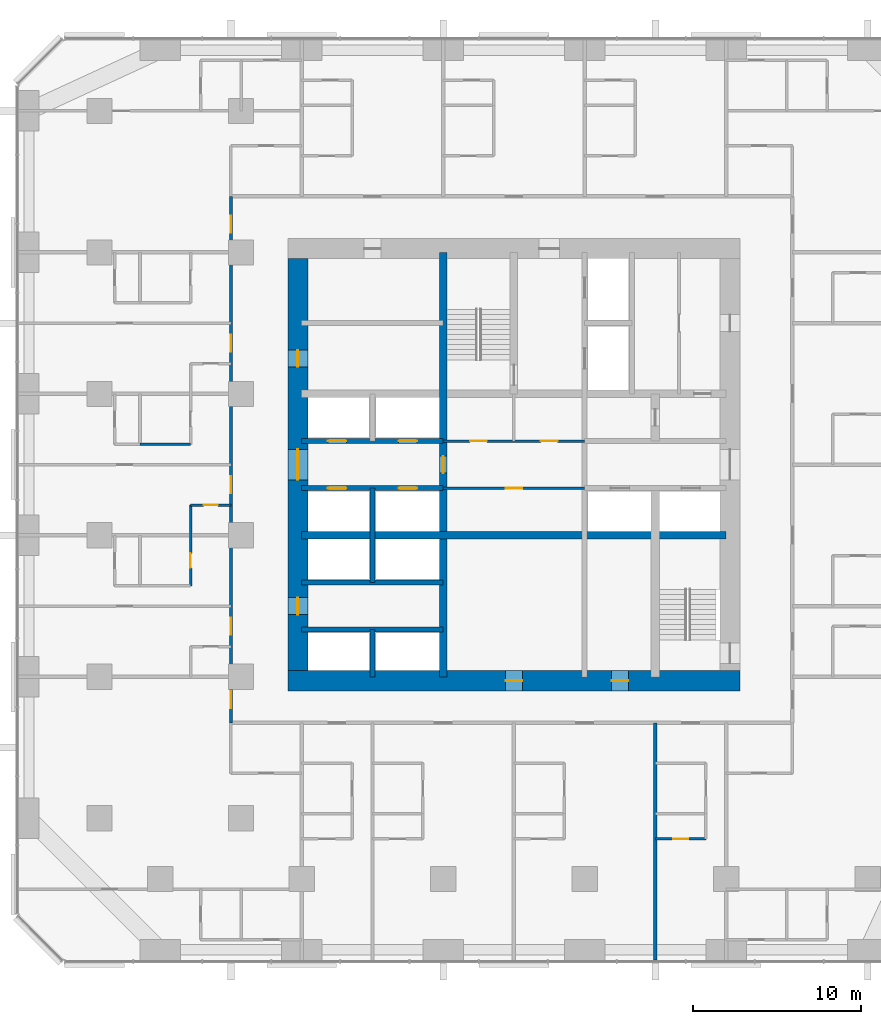
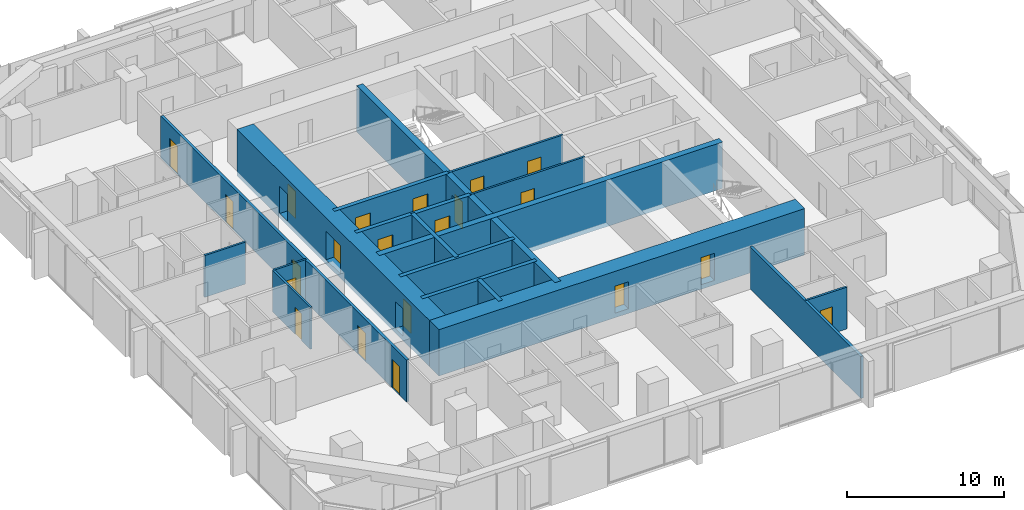
# One storey, part 9 of 14: 21 doors, 18 walls, 21 openings.
"""IFC4 building model written with IfcOpenShell, lengths in metres."""

from ifc_helpers import new_model, si_unit, direction, frame, frame_2d, origin, place, context, subcontext, project, spatial, rectangle, extrude, material, layer, layer_set, type_object, element, fill, save


model = new_model("IFC4")

# Units and contexts
model_context = context("Model", 3, precision=1e-05, world=origin(), true_north=direction((0.0, 1.0)))
body_context = subcontext(model_context, "Body", "Model", "MODEL_VIEW")
ifc_project = project(units=[si_unit("LENGTHUNIT", "METRE"), si_unit("AREAUNIT", "SQUARE_METRE"), si_unit("VOLUMEUNIT", "CUBIC_METRE"), si_unit("PLANEANGLEUNIT", "RADIAN"), si_unit("MASSUNIT", "GRAM", prefix="KILO")], contexts=[model_context])

# Site, building, storey
site_placement = place(None, origin())
site = spatial("IfcSite", under=ifc_project, at=site_placement, CompositionType="ELEMENT")
building_placement = place(site_placement, origin())
building = spatial("IfcBuilding", under=site, at=building_placement, Name="Dunama Terrace Hotel", CompositionType="ELEMENT")
storey_placement = place(building_placement, frame((0.0, 0.0, 108.0)))
storey = spatial("IfcBuildingStorey", under=building, at=storey_placement, Name="L27", CompositionType="ELEMENT", Elevation=108.0)

# Wall, opening, door
ifc_material_1 = material(Name="Gypsum board partition", Category="masonry")
ifc_layer_1 = layer(ifc_material_1, 0.14990234375)
ifc_layer_set_1 = layer_set([ifc_layer_1], Name="Bathroom partition 150")
wall_type_1 = type_object("IfcWallType", Name="Bathroom partition 150", PredefinedType="PARTITIONING", material=ifc_layer_set_1)
wall_1_placement = place(storey_placement, frame((10.199951171875, 22.199951171875, 0.0), z_axis=(0.0, 0.0, 1.0), x_axis=(0.0, 1.0, 0.0)))
wall_1 = element("IfcWall", 1, at=wall_1_placement, inside=storey, type_object=wall_type_1, Name="Bathroom partition 150 L27", PredefinedType="PARTITIONING", context=body_context, shape_type="SweptSolid", body=[
    extrude(rectangle(XDim=4.800048828125, YDim=0.14990234375, at=frame_2d((2.39990234375, 0.0))), origin(), (0.0, 0.0, 1.0), 3.25),
])
opening_1_placement = place(wall_1_placement, frame((1.074951171875, 0.0, 0.0)))
opening_1 = element("IfcOpeningElement", 2, at=opening_1_placement, cuts=wall_1, Name="Opening L25-27-047", PredefinedType="OPENING", context=body_context, shape_type="SweptSolid", body=[
    extrude(rectangle(XDim=0.85009765625, YDim=2.10009765625, at=frame_2d((0.425048828125, 1.050048828125))), frame((0.0, 0.0849609375, 0.0), z_axis=(0.0, -1.0, 0.0), x_axis=(1.0, 0.0, 0.0)), (0.0, 0.0, 1.0), 0.169921875),
])
ifc_material_2 = material(Name="Timber door with steel frame", Category="steel")
door_type_1 = type_object("IfcDoorType", Name="Bathroom door 850", OperationType="SINGLE_SWING_LEFT", PredefinedType="DOOR", material=ifc_material_2)
door_1_placement = place(opening_1_placement, origin())
door_1 = element("IfcDoor", 3, at=door_1_placement, inside=storey, type_object=door_type_1, Name="Door to en-suite bathroom L25-27-047, type D2", OperationType="SINGLE_SWING_RIGHT", OverallHeight=2.10009765625, OverallWidth=0.85009765625, PredefinedType="DOOR", context=body_context, shape_type="SweptSolid", body=[
    extrude(rectangle(XDim=0.85009765625, YDim=2.10009765625, at=frame_2d((0.425048828125, 1.050048828125))), frame((0.0, 0.02490234375, 0.0), z_axis=(0.0, -1.0, 0.0), x_axis=(1.0, 0.0, 0.0)), (0.0, 0.0, 1.0), 0.050048828125),
])
fill(opening_1, door_1)

wall_2_placement = place(storey_placement, frame((10.199951171875, 27.0, 0.0), z_axis=(0.0, 0.0, 1.0), x_axis=(1.0, 0.0, 0.0)))
wall_2 = element("IfcWall", 4, at=wall_2_placement, inside=storey, type_object=wall_type_1, Name="Bathroom partition 150 L27", PredefinedType="PARTITIONING", context=body_context, shape_type="SweptSolid", body=[
    extrude(rectangle(XDim=2.400146484375, YDim=0.14990234375, at=frame_2d((1.2001953125, 0.0))), origin(), (0.0, 0.0, 1.0), 3.25),
])
opening_2_placement = place(wall_2_placement, frame((0.77490234375, 0.0, 0.0)))
opening_2 = element("IfcOpeningElement", 5, at=opening_2_placement, cuts=wall_2, Name="Opening L25-27-050", PredefinedType="OPENING", context=body_context, shape_type="SweptSolid", body=[
    extrude(rectangle(XDim=0.85009765625, YDim=2.10009765625, at=frame_2d((0.425048828125, 1.050048828125))), frame((0.0, 0.0849609375, 0.0), z_axis=(0.0, -1.0, 0.0), x_axis=(1.0, 0.0, 0.0)), (0.0, 0.0, 1.0), 0.169921875),
])
door_2_placement = place(opening_2_placement, frame((0.85009765625, 0.0, 0.0), z_axis=(0.0, 0.0, 1.0), x_axis=(-1.0, 0.0, 0.0)))
door_2 = element("IfcDoor", 6, at=door_2_placement, inside=storey, type_object=door_type_1, Name="Door to powder room L25-27-050, type D2", OperationType="SINGLE_SWING_LEFT", OverallHeight=2.10009765625, OverallWidth=0.85009765625, PredefinedType="DOOR", context=body_context, shape_type="SweptSolid", body=[
    extrude(rectangle(XDim=0.85009765625, YDim=2.10009765625, at=frame_2d((0.425048828125, 1.050048828125))), frame((0.0, 0.025146484375, 0.0), z_axis=(0.0, -1.0, 0.0), x_axis=(1.0, 0.0, 0.0)), (0.0, 0.0, 1.0), 0.050048828125),
])
fill(opening_2, door_2)

# Walls
wall_3_placement = place(storey_placement, frame((7.199951171875, 30.60009765625, 0.0), z_axis=(0.0, 0.0, 1.0), x_axis=(1.0, 0.0, 0.0)))
element("IfcWall", 7, at=wall_3_placement, inside=storey, type_object=wall_type_1, Name="Bathroom partition 150 L27", PredefinedType="PARTITIONING", context=body_context, shape_type="SweptSolid", body=[
    extrude(rectangle(XDim=3.0, YDim=0.14990234375, at=frame_2d((1.5, 0.0))), origin(), (0.0, 0.0, 1.0), 3.25),
])
ifc_material_3 = material(Name="Concrete C50/60", Category="concrete")
ifc_layer_2 = layer(ifc_material_3, 0.300048828125)
ifc_layer_set_2 = layer_set([ifc_layer_2], Name="Core inner wall 300")
wall_type_2 = type_object("IfcWallType", Name="Core inner wall 300", PredefinedType="SHEAR", material=ifc_layer_set_2)
wall_4_placement = place(storey_placement, frame((21.0, 16.800048828125, -0.35009765625), z_axis=(0.0, 0.0, 1.0), x_axis=(0.0, 1.0, 0.0)))
element("IfcWall", 8, at=wall_4_placement, inside=storey, type_object=wall_type_2, Name="Core inner wall 300 L27", PredefinedType="SHEAR", context=body_context, shape_type="SweptSolid", body=[
    extrude(rectangle(XDim=2.800048828125, YDim=0.300048828125, at=frame_2d((1.39990234375, 0.0))), origin(), (0.0, 0.0, 1.0), 3.60009765625),
])
wall_5_placement = place(storey_placement, frame((21.0, 22.39990234375, -0.35009765625), z_axis=(0.0, 0.0, 1.0), x_axis=(0.0, 1.0, 0.0)))
element("IfcWall", 9, at=wall_5_placement, inside=storey, type_object=wall_type_2, Name="Core inner wall 300 L27", PredefinedType="SHEAR", context=body_context, shape_type="SweptSolid", body=[
    extrude(rectangle(XDim=5.60009765625, YDim=0.300048828125, at=frame_2d((2.800048828125, 0.0))), origin(), (0.0, 0.0, 1.0), 3.60009765625),
])
for number, where, z_axis, x_axis, name in (
    (10, (16.800048828125, 19.60009765625, -0.35009765625), (0.0, 0.0, 1.0), (1.0, 0.0, 0.0), "Core inner wall 300 L27"),
    (11, (16.800048828125, 22.39990234375, -0.35009765625), (0.0, 0.0, 1.0), (1.0, 0.0, 0.0), "Core inner wall 300 L27"),
):
    element("IfcWall", number, at=place(storey_placement, frame(where, z_axis=z_axis, x_axis=x_axis)), inside=storey, type_object=wall_type_2, Name=name, PredefinedType="SHEAR", context=body_context, shape_type="SweptSolid", body=[
        extrude(rectangle(XDim=8.39990234375, YDim=0.300048828125, at=frame_2d((4.199951171875, 0.0))), origin(), (0.0, 0.0, 1.0), 3.60009765625),
    ])

# Wall, openings, doors
wall_6_placement = place(storey_placement, frame((16.800048828125, 28.0, -0.35009765625), z_axis=(0.0, 0.0, 1.0), x_axis=(1.0, 0.0, 0.0)))
wall_6 = element("IfcWall", 12, at=wall_6_placement, inside=storey, type_object=wall_type_2, Name="Core inner wall 300 L27", PredefinedType="SHEAR", context=body_context, shape_type="SweptSolid", body=[
    extrude(rectangle(XDim=8.39990234375, YDim=0.300048828125, at=frame_2d((4.199951171875, 0.0))), origin(), (0.0, 0.0, 1.0), 3.60009765625),
])
opening_3_placement = place(wall_6_placement, frame((1.550048828125, 0.0, 0.35009765625)))
opening_3 = element("IfcOpeningElement", 13, at=opening_3_placement, cuts=wall_6, Name="Opening L25-27-005", PredefinedType="OPENING", context=body_context, shape_type="SweptSolid", body=[
    extrude(rectangle(XDim=1.10009765625, YDim=2.199951171875, at=frame_2d((0.550048828125, 1.10009765625))), frame((0.0, 0.159912109375, 0.0), z_axis=(0.0, -1.0, 0.0), x_axis=(1.0, 0.0, 0.0)), (0.0, 0.0, 1.0), 0.320068359375),
])
opening_4_placement = place(wall_6_placement, frame((5.75, 0.0, 0.35009765625)))
opening_4 = element("IfcOpeningElement", 14, at=opening_4_placement, cuts=wall_6, Name="Opening L25-27-006", PredefinedType="OPENING", context=body_context, shape_type="SweptSolid", body=[
    extrude(rectangle(XDim=1.10009765625, YDim=2.199951171875, at=frame_2d((0.550048828125, 1.10009765625))), frame((0.0, 0.159912109375, 0.0), z_axis=(0.0, -1.0, 0.0), x_axis=(1.0, 0.0, 0.0)), (0.0, 0.0, 1.0), 0.320068359375),
])
ifc_material_4 = material(Name="Stainless steel lift door", Category="steel")
door_type_2 = type_object("IfcDoorType", Name="Lift landing door 1100", OperationType="DOUBLE_DOOR_SLIDING", PredefinedType="DOOR", material=ifc_material_4)
door_3_placement = place(opening_3_placement, origin())
door_3 = element("IfcDoor", 15, at=door_3_placement, inside=storey, type_object=door_type_2, Name="Landing door PC1 L25-27-005, type LD1", OperationType="DOUBLE_DOOR_SLIDING", OverallHeight=2.199951171875, OverallWidth=1.10009765625, PredefinedType="DOOR", context=body_context, shape_type="SweptSolid", body=[
    extrude(rectangle(XDim=1.10009765625, YDim=2.199951171875, at=frame_2d((0.550048828125, 1.10009765625))), frame((0.0, 0.02490234375, 0.0), z_axis=(0.0, -1.0, 0.0), x_axis=(1.0, 0.0, 0.0)), (0.0, 0.0, 1.0), 0.050048828125),
])
fill(opening_3, door_3)
door_4_placement = place(opening_4_placement, origin())
door_4 = element("IfcDoor", 16, at=door_4_placement, inside=storey, type_object=door_type_2, Name="Landing door PC2 L25-27-006, type LD1", OperationType="DOUBLE_DOOR_SLIDING", OverallHeight=2.199951171875, OverallWidth=1.10009765625, PredefinedType="DOOR", context=body_context, shape_type="SweptSolid", body=[
    extrude(rectangle(XDim=1.10009765625, YDim=2.199951171875, at=frame_2d((0.550048828125, 1.10009765625))), frame((0.0, 0.02490234375, 0.0), z_axis=(0.0, -1.0, 0.0), x_axis=(1.0, 0.0, 0.0)), (0.0, 0.0, 1.0), 0.050048828125),
])
fill(opening_4, door_4)

wall_7_placement = place(storey_placement, frame((16.800048828125, 30.800048828125, -0.35009765625), z_axis=(0.0, 0.0, 1.0), x_axis=(1.0, 0.0, 0.0)))
wall_7 = element("IfcWall", 17, at=wall_7_placement, inside=storey, type_object=wall_type_2, Name="Core inner wall 300 L27", PredefinedType="SHEAR", context=body_context, shape_type="SweptSolid", body=[
    extrude(rectangle(XDim=8.39990234375, YDim=0.300048828125, at=frame_2d((4.199951171875, 0.0))), origin(), (0.0, 0.0, 1.0), 3.60009765625),
])
opening_5_placement = place(wall_7_placement, frame((1.550048828125, 0.0, 0.35009765625)))
opening_5 = element("IfcOpeningElement", 18, at=opening_5_placement, cuts=wall_7, Name="Opening L25-27-007", PredefinedType="OPENING", context=body_context, shape_type="SweptSolid", body=[
    extrude(rectangle(XDim=1.10009765625, YDim=2.199951171875, at=frame_2d((0.550048828125, 1.10009765625))), frame((0.0, 0.159912109375, 0.0), z_axis=(0.0, -1.0, 0.0), x_axis=(1.0, 0.0, 0.0)), (0.0, 0.0, 1.0), 0.320068359375),
])
opening_6_placement = place(wall_7_placement, frame((5.75, 0.0, 0.35009765625)))
opening_6 = element("IfcOpeningElement", 19, at=opening_6_placement, cuts=wall_7, Name="Opening L25-27-008", PredefinedType="OPENING", context=body_context, shape_type="SweptSolid", body=[
    extrude(rectangle(XDim=1.10009765625, YDim=2.199951171875, at=frame_2d((0.550048828125, 1.10009765625))), frame((0.0, 0.159912109375, 0.0), z_axis=(0.0, -1.0, 0.0), x_axis=(1.0, 0.0, 0.0)), (0.0, 0.0, 1.0), 0.320068359375),
])
door_5_placement = place(opening_5_placement, origin())
door_5 = element("IfcDoor", 20, at=door_5_placement, inside=storey, type_object=door_type_2, Name="Landing door PC3 L25-27-007, type LD1", OperationType="DOUBLE_DOOR_SLIDING", OverallHeight=2.199951171875, OverallWidth=1.10009765625, PredefinedType="DOOR", context=body_context, shape_type="SweptSolid", body=[
    extrude(rectangle(XDim=1.10009765625, YDim=2.199951171875, at=frame_2d((0.550048828125, 1.10009765625))), frame((0.0, 0.02490234375, 0.0), z_axis=(0.0, -1.0, 0.0), x_axis=(1.0, 0.0, 0.0)), (0.0, 0.0, 1.0), 0.050048828125),
])
fill(opening_5, door_5)
door_6_placement = place(opening_6_placement, origin())
door_6 = element("IfcDoor", 21, at=door_6_placement, inside=storey, type_object=door_type_2, Name="Landing door PC4 L25-27-008, type LD1", OperationType="DOUBLE_DOOR_SLIDING", OverallHeight=2.199951171875, OverallWidth=1.10009765625, PredefinedType="DOOR", context=body_context, shape_type="SweptSolid", body=[
    extrude(rectangle(XDim=1.10009765625, YDim=2.199951171875, at=frame_2d((0.550048828125, 1.10009765625))), frame((0.0, 0.02490234375, 0.0), z_axis=(0.0, -1.0, 0.0), x_axis=(1.0, 0.0, 0.0)), (0.0, 0.0, 1.0), 0.050048828125),
])
fill(opening_6, door_6)

# Wall, opening, door
ifc_material_5 = material(Name="Concrete C50/60", Category="concrete")
ifc_layer_3 = layer(ifc_material_5, 0.449951171875)
ifc_layer_set_3 = layer_set([ifc_layer_3], Name="Core inner wall 450")
wall_type_3 = type_object("IfcWallType", Name="Core inner wall 450", PredefinedType="SHEAR", material=ifc_layer_set_3)
wall_8_placement = place(storey_placement, frame((25.199951171875, 16.800048828125, -0.35009765625), z_axis=(0.0, 0.0, 1.0), x_axis=(0.0, 1.0, 0.0)))
wall_8 = element("IfcWall", 22, at=wall_8_placement, inside=storey, type_object=wall_type_3, Name="Core inner wall 450 L27", PredefinedType="SHEAR", context=body_context, shape_type="SweptSolid", body=[
    extrude(rectangle(XDim=25.199951171875, YDim=0.449951171875, at=frame_2d((12.60009765625, 0.0))), origin(), (0.0, 0.0, 1.0), 3.60009765625),
])
opening_7_placement = place(wall_8_placement, frame((12.10009765625, 0.0, 0.35009765625)))
opening_7 = element("IfcOpeningElement", 23, at=opening_7_placement, cuts=wall_8, Name="Opening L25-27-083", PredefinedType="OPENING", context=body_context, shape_type="SweptSolid", body=[
    extrude(rectangle(XDim=1.0, YDim=2.10009765625, at=frame_2d((0.5, 1.050048828125))), frame((0.0, 0.23486328125, 0.0), z_axis=(0.0, -1.0, 0.0), x_axis=(1.0, 0.0, 0.0)), (0.0, 0.0, 1.0), 0.469970703125),
])
ifc_material_6 = material(Name="Timber door with steel frame", Category="steel")
door_type_3 = type_object("IfcDoorType", Name="Service door 1000", OperationType="SINGLE_SWING_LEFT", PredefinedType="DOOR", material=ifc_material_6)
door_7_placement = place(opening_7_placement, origin())
door_7 = element("IfcDoor", 24, at=door_7_placement, inside=storey, type_object=door_type_3, Name="Door to guest services passage L25-27-083, type D7", OperationType="SINGLE_SWING_LEFT", OverallHeight=2.10009765625, OverallWidth=1.0, PredefinedType="DOOR", context=body_context, shape_type="SweptSolid", body=[
    extrude(rectangle(XDim=1.0, YDim=2.10009765625, at=frame_2d((0.5, 1.050048828125))), frame((0.0, 0.02490234375, 0.0), z_axis=(0.0, -1.0, 0.0), x_axis=(1.0, 0.0, 0.0)), (0.0, 0.0, 1.0), 0.050048828125),
])
fill(opening_7, door_7)

# Wall
wall_9_placement = place(storey_placement, frame((16.800048828125, 25.199951171875, -0.35009765625), z_axis=(0.0, 0.0, 1.0), x_axis=(1.0, 0.0, 0.0)))
element("IfcWall", 25, at=wall_9_placement, inside=storey, type_object=wall_type_3, Name="Core inner wall 450 L27", PredefinedType="SHEAR", context=body_context, shape_type="SweptSolid", body=[
    extrude(rectangle(XDim=25.199951171875, YDim=0.449951171875, at=frame_2d((12.60009765625, 0.0))), origin(), (0.0, 0.0, 1.0), 3.60009765625),
])

# Wall, openings, doors
ifc_material_7 = material(Name="Concrete C60/75", Category="concrete")
ifc_layer_4 = layer(ifc_material_7, 1.199951171875)
ifc_layer_set_4 = layer_set([ifc_layer_4], Name="Core wall 1200")
wall_type_4 = type_object("IfcWallType", Name="Core wall 1200", PredefinedType="SHEAR", material=ifc_layer_set_4)
wall_10_placement = place(storey_placement, frame((15.97509765625, 16.574951171875, -0.35009765625), z_axis=(0.0, 0.0, 1.0), x_axis=(1.0, 0.0, 0.0)))
wall_10 = element("IfcWall", 26, at=wall_10_placement, inside=storey, type_object=wall_type_4, Name="Core wall south L27", PredefinedType="SHEAR", context=body_context, shape_type="SweptSolid", body=[
    extrude(rectangle(XDim=26.849853515625, YDim=1.199951171875, at=frame_2d((13.4248046875, 0.0))), origin(), (0.0, 0.0, 1.0), 3.60009765625),
])
opening_8_placement = place(wall_10_placement, frame((12.925048828125, 0.0, 0.35009765625)))
opening_8 = element("IfcOpeningElement", 27, at=opening_8_placement, cuts=wall_10, Name="Opening L25-27-093", PredefinedType="OPENING", context=body_context, shape_type="SweptSolid", body=[
    extrude(rectangle(XDim=1.0, YDim=2.10009765625, at=frame_2d((0.5, 1.050048828125))), frame((0.0, 0.60986328125, 0.0), z_axis=(0.0, -1.0, 0.0), x_axis=(1.0, 0.0, 0.0)), (0.0, 0.0, 1.0), 1.219970703125),
])
opening_9_placement = place(wall_10_placement, frame((19.22509765625, 0.0, 0.35009765625)))
opening_9 = element("IfcOpeningElement", 28, at=opening_9_placement, cuts=wall_10, Name="Opening L25-27-094", PredefinedType="OPENING", context=body_context, shape_type="SweptSolid", body=[
    extrude(rectangle(XDim=1.0, YDim=2.10009765625, at=frame_2d((0.5, 1.050048828125))), frame((0.0, 0.60986328125, 0.0), z_axis=(0.0, -1.0, 0.0), x_axis=(1.0, 0.0, 0.0)), (0.0, 0.0, 1.0), 1.219970703125),
])
door_8_placement = place(opening_8_placement, origin())
door_8 = element("IfcDoor", 29, at=door_8_placement, inside=storey, type_object=door_type_3, Name="Door to corridor air handling room L25-27-093, type D7", OperationType="SINGLE_SWING_LEFT", OverallHeight=2.10009765625, OverallWidth=1.0, PredefinedType="DOOR", context=body_context, shape_type="SweptSolid", body=[
    extrude(rectangle(XDim=1.0, YDim=2.10009765625, at=frame_2d((0.5, 1.050048828125))), frame((0.0, 0.02490234375, 0.0), z_axis=(0.0, -1.0, 0.0), x_axis=(1.0, 0.0, 0.0)), (0.0, 0.0, 1.0), 0.050048828125),
])
fill(opening_8, door_8)
door_9_placement = place(opening_9_placement, origin())
door_9 = element("IfcDoor", 30, at=door_9_placement, inside=storey, type_object=door_type_3, Name="Door to water riser room L25-27-094, type D7", OperationType="SINGLE_SWING_RIGHT", OverallHeight=2.10009765625, OverallWidth=1.0, PredefinedType="DOOR", context=body_context, shape_type="SweptSolid", body=[
    extrude(rectangle(XDim=1.0, YDim=2.10009765625, at=frame_2d((0.5, 1.050048828125))), frame((0.0, 0.02490234375, 0.0), z_axis=(0.0, -1.0, 0.0), x_axis=(1.0, 0.0, 0.0)), (0.0, 0.0, 1.0), 0.050048828125),
])
fill(opening_9, door_9)

wall_11_placement = place(storey_placement, frame((16.574951171875, 41.625, -0.35009765625), z_axis=(0.0, 0.0, 1.0), x_axis=(0.0, -1.0, 0.0)))
wall_11 = element("IfcWall", 31, at=wall_11_placement, inside=storey, type_object=wall_type_4, Name="Core wall west L27", PredefinedType="SHEAR", context=body_context, shape_type="SweptSolid", body=[
    extrude(rectangle(XDim=24.449951171875, YDim=1.199951171875, at=frame_2d((12.22509765625, 0.0))), origin(), (0.0, 0.0, 1.0), 3.60009765625),
])
opening_10_placement = place(wall_11_placement, frame((11.324951171875, 0.0, 0.35009765625)))
opening_10 = element("IfcOpeningElement", 32, at=opening_10_placement, cuts=wall_11, Name="Opening L25-27-079", PredefinedType="OPENING", context=body_context, shape_type="SweptSolid", body=[
    extrude(rectangle(XDim=1.800048828125, YDim=2.199951171875, at=frame_2d((0.89990234375, 1.10009765625))), frame((0.0, 0.60986328125, 0.0), z_axis=(0.0, -1.0, 0.0), x_axis=(1.0, 0.0, 0.0)), (0.0, 0.0, 1.0), 1.219970703125),
])
opening_11_placement = place(wall_11_placement, frame((20.125, 0.0, 0.35009765625)))
opening_11 = element("IfcOpeningElement", 33, at=opening_11_placement, cuts=wall_11, Name="Opening L25-27-080", PredefinedType="OPENING", context=body_context, shape_type="SweptSolid", body=[
    extrude(rectangle(XDim=1.0, YDim=2.10009765625, at=frame_2d((0.5, 1.050048828125))), frame((0.0, 0.60986328125, 0.0), z_axis=(0.0, -1.0, 0.0), x_axis=(1.0, 0.0, 0.0)), (0.0, 0.0, 1.0), 1.219970703125),
])
opening_12_placement = place(wall_11_placement, frame((5.425048828125, 0.0, 0.35009765625)))
opening_12 = element("IfcOpeningElement", 34, at=opening_12_placement, cuts=wall_11, Name="Opening L25-27-081", PredefinedType="OPENING", context=body_context, shape_type="SweptSolid", body=[
    extrude(rectangle(XDim=1.0, YDim=2.10009765625, at=frame_2d((0.5, 1.050048828125))), frame((0.0, 0.60986328125, 0.0), z_axis=(0.0, -1.0, 0.0), x_axis=(1.0, 0.0, 0.0)), (0.0, 0.0, 1.0), 1.219970703125),
])
ifc_material_8 = material(Name="Timber door with steel frame", Category="steel")
door_type_4 = type_object("IfcDoorType", Name="Lift lobby double door 1800", OperationType="DOUBLE_DOOR_DOUBLE_SWING", PredefinedType="DOOR", material=ifc_material_8)
door_10_placement = place(opening_10_placement, origin())
door_10 = element("IfcDoor", 35, at=door_10_placement, inside=storey, type_object=door_type_4, Name="Door to lift lobby L25-27-079, type D3", OperationType="DOUBLE_DOOR_DOUBLE_SWING", OverallHeight=2.199951171875, OverallWidth=1.800048828125, PredefinedType="DOOR", context=body_context, shape_type="SweptSolid", body=[
    extrude(rectangle(XDim=1.800048828125, YDim=2.199951171875, at=frame_2d((0.89990234375, 1.10009765625))), frame((0.0, 0.02490234375, 0.0), z_axis=(0.0, -1.0, 0.0), x_axis=(1.0, 0.0, 0.0)), (0.0, 0.0, 1.0), 0.050048828125),
])
fill(opening_10, door_10)
door_11_placement = place(opening_11_placement, origin())
door_11 = element("IfcDoor", 36, at=door_11_placement, inside=storey, type_object=door_type_3, Name="Door to service lobby L25-27-080, type D7", OperationType="SINGLE_SWING_LEFT", OverallHeight=2.10009765625, OverallWidth=1.0, PredefinedType="DOOR", context=body_context, shape_type="SweptSolid", body=[
    extrude(rectangle(XDim=1.0, YDim=2.10009765625, at=frame_2d((0.5, 1.050048828125))), frame((0.0, 0.02490234375, 0.0), z_axis=(0.0, -1.0, 0.0), x_axis=(1.0, 0.0, 0.0)), (0.0, 0.0, 1.0), 0.050048828125),
])
fill(opening_11, door_11)
door_12_placement = place(opening_12_placement, origin())
door_12 = element("IfcDoor", 37, at=door_12_placement, inside=storey, type_object=door_type_3, Name="Door to electrical room L25-27-081, type D7", OperationType="SINGLE_SWING_RIGHT", OverallHeight=2.10009765625, OverallWidth=1.0, PredefinedType="DOOR", context=body_context, shape_type="SweptSolid", body=[
    extrude(rectangle(XDim=1.0, YDim=2.10009765625, at=frame_2d((0.5, 1.050048828125))), frame((0.0, 0.02490234375, 0.0), z_axis=(0.0, -1.0, 0.0), x_axis=(1.0, 0.0, 0.0)), (0.0, 0.0, 1.0), 0.050048828125),
])
fill(opening_12, door_12)

ifc_material_9 = material(Name="Concrete blockwork", Category="masonry")
ifc_layer_5 = layer(ifc_material_9, 0.199951171875)
ifc_layer_set_5 = layer_set([ifc_layer_5], Name="Corridor partition 200")
wall_type_5 = type_object("IfcWallType", Name="Corridor partition 200", PredefinedType="PARTITIONING", material=ifc_layer_set_5)
wall_12_placement = place(storey_placement, frame((12.60009765625, 14.074951171875, 0.0), z_axis=(0.0, 0.0, 1.0), x_axis=(0.0, 1.0, 0.0)))
wall_12 = element("IfcWall", 38, at=wall_12_placement, inside=storey, type_object=wall_type_5, Name="Corridor partition 200 L27", PredefinedType="PARTITIONING", context=body_context, shape_type="SweptSolid", body=[
    extrude(rectangle(XDim=31.25, YDim=0.199951171875, at=frame_2d((15.625, 0.0))), origin(), (0.0, 0.0, 1.0), 3.25),
])
opening_13_placement = place(wall_12_placement, frame((5.22509765625, 0.0, 0.0)))
opening_13 = element("IfcOpeningElement", 39, at=opening_13_placement, cuts=wall_12, Name="Opening L25-27-044", PredefinedType="OPENING", context=body_context, shape_type="SweptSolid", body=[
    extrude(rectangle(XDim=1.0, YDim=2.199951171875, at=frame_2d((0.5, 1.10009765625))), frame((0.0, 0.10986328125, 0.0), z_axis=(0.0, -1.0, 0.0), x_axis=(1.0, 0.0, 0.0)), (0.0, 0.0, 1.0), 0.219970703125),
])
opening_14_placement = place(wall_12_placement, frame((13.625, 0.0, 0.0)))
opening_14 = element("IfcOpeningElement", 40, at=opening_14_placement, cuts=wall_12, Name="Opening L25-27-049", PredefinedType="OPENING", context=body_context, shape_type="SweptSolid", body=[
    extrude(rectangle(XDim=1.0, YDim=2.199951171875, at=frame_2d((0.5, 1.10009765625))), frame((0.0, 0.10986328125, 0.0), z_axis=(0.0, -1.0, 0.0), x_axis=(1.0, 0.0, 0.0)), (0.0, 0.0, 1.0), 0.219970703125),
])
opening_15_placement = place(wall_12_placement, frame((22.02490234375, 0.0, 0.0)))
opening_15 = element("IfcOpeningElement", 41, at=opening_15_placement, cuts=wall_12, Name="Opening L25-27-054", PredefinedType="OPENING", context=body_context, shape_type="SweptSolid", body=[
    extrude(rectangle(XDim=1.0, YDim=2.199951171875, at=frame_2d((0.5, 1.10009765625))), frame((0.0, 0.10986328125, 0.0), z_axis=(0.0, -1.0, 0.0), x_axis=(1.0, 0.0, 0.0)), (0.0, 0.0, 1.0), 0.219970703125),
])
opening_16_placement = place(wall_12_placement, frame((0.863037109375, 0.0, 0.0)))
opening_16 = element("IfcOpeningElement", 42, at=opening_16_placement, cuts=wall_12, Name="Opening L25-27-059", PredefinedType="OPENING", context=body_context, shape_type="SweptSolid", body=[
    extrude(rectangle(XDim=1.0, YDim=2.199951171875, at=frame_2d((0.5, 1.10009765625))), frame((0.0, 0.10986328125, 0.0), z_axis=(0.0, -1.0, 0.0), x_axis=(1.0, 0.0, 0.0)), (0.0, 0.0, 1.0), 0.219970703125),
])
opening_17_placement = place(wall_12_placement, frame((29.087890625, 0.0, 0.0)))
opening_17 = element("IfcOpeningElement", 43, at=opening_17_placement, cuts=wall_12, Name="Opening L25-27-074", PredefinedType="OPENING", context=body_context, shape_type="SweptSolid", body=[
    extrude(rectangle(XDim=1.0, YDim=2.199951171875, at=frame_2d((0.5, 1.10009765625))), frame((0.0, 0.10986328125, 0.0), z_axis=(0.0, -1.0, 0.0), x_axis=(1.0, 0.0, 0.0)), (0.0, 0.0, 1.0), 0.219970703125),
])
ifc_material_10 = material(Name="Timber door with steel frame", Category="steel")
door_type_5 = type_object("IfcDoorType", Name="Guest room door 1000", OperationType="SINGLE_SWING_LEFT", PredefinedType="DOOR", material=ifc_material_10)
door_13_placement = place(opening_13_placement, origin())
door_13 = element("IfcDoor", 44, at=door_13_placement, inside=storey, type_object=door_type_5, Name="Door to premier suite living room L25-27-044, type D1", OperationType="SINGLE_SWING_LEFT", OverallHeight=2.199951171875, OverallWidth=1.0, PredefinedType="DOOR", context=body_context, shape_type="SweptSolid", body=[
    extrude(rectangle(XDim=1.0, YDim=2.199951171875, at=frame_2d((0.5, 1.10009765625))), frame((0.0, 0.02490234375, 0.0), z_axis=(0.0, -1.0, 0.0), x_axis=(1.0, 0.0, 0.0)), (0.0, 0.0, 1.0), 0.050048828125),
])
fill(opening_13, door_13)
door_14_placement = place(opening_14_placement, origin())
door_14 = element("IfcDoor", 45, at=door_14_placement, inside=storey, type_object=door_type_5, Name="Door to premier suite living room L25-27-049, type D1", OperationType="SINGLE_SWING_LEFT", OverallHeight=2.199951171875, OverallWidth=1.0, PredefinedType="DOOR", context=body_context, shape_type="SweptSolid", body=[
    extrude(rectangle(XDim=1.0, YDim=2.199951171875, at=frame_2d((0.5, 1.10009765625))), frame((0.0, 0.02490234375, 0.0), z_axis=(0.0, -1.0, 0.0), x_axis=(1.0, 0.0, 0.0)), (0.0, 0.0, 1.0), 0.050048828125),
])
fill(opening_14, door_14)
door_15_placement = place(opening_15_placement, origin())
door_15 = element("IfcDoor", 46, at=door_15_placement, inside=storey, type_object=door_type_5, Name="Door to premier suite living room L25-27-054, type D1", OperationType="SINGLE_SWING_LEFT", OverallHeight=2.199951171875, OverallWidth=1.0, PredefinedType="DOOR", context=body_context, shape_type="SweptSolid", body=[
    extrude(rectangle(XDim=1.0, YDim=2.199951171875, at=frame_2d((0.5, 1.10009765625))), frame((0.0, 0.02490234375, 0.0), z_axis=(0.0, -1.0, 0.0), x_axis=(1.0, 0.0, 0.0)), (0.0, 0.0, 1.0), 0.050048828125),
])
fill(opening_15, door_15)
door_16_placement = place(opening_16_placement, origin())
door_16 = element("IfcDoor", 47, at=door_16_placement, inside=storey, type_object=door_type_5, Name="Door to corner suite living room L25-27-059, type D1", OperationType="SINGLE_SWING_RIGHT", OverallHeight=2.199951171875, OverallWidth=1.0, PredefinedType="DOOR", context=body_context, shape_type="SweptSolid", body=[
    extrude(rectangle(XDim=1.0, YDim=2.199951171875, at=frame_2d((0.5, 1.10009765625))), frame((0.0, 0.02490234375, 0.0), z_axis=(0.0, -1.0, 0.0), x_axis=(1.0, 0.0, 0.0)), (0.0, 0.0, 1.0), 0.050048828125),
])
fill(opening_16, door_16)
door_17_placement = place(opening_17_placement, origin())
door_17 = element("IfcDoor", 48, at=door_17_placement, inside=storey, type_object=door_type_5, Name="Door to corner suite living room L25-27-074, type D1", OperationType="SINGLE_SWING_LEFT", OverallHeight=2.199951171875, OverallWidth=1.0, PredefinedType="DOOR", context=body_context, shape_type="SweptSolid", body=[
    extrude(rectangle(XDim=1.0, YDim=2.199951171875, at=frame_2d((0.5, 1.10009765625))), frame((0.0, 0.02490234375, 0.0), z_axis=(0.0, -1.0, 0.0), x_axis=(1.0, 0.0, 0.0)), (0.0, 0.0, 1.0), 0.050048828125),
])
fill(opening_17, door_17)

# Wall
ifc_material_11 = material(Name="Concrete blockwork", Category="masonry")
ifc_layer_6 = layer(ifc_material_11, 0.199951171875)
ifc_layer_set_6 = layer_set([ifc_layer_6], Name="Party wall 200")
wall_type_6 = type_object("IfcWallType", Name="Party wall 200", PredefinedType="PARTITIONING", material=ifc_layer_set_6)
wall_13_placement = place(storey_placement, frame((37.800048828125, -0.01806640625, 0.0), z_axis=(0.0, 0.0, 1.0), x_axis=(0.0, 1.0, 0.0)))
element("IfcWall", 49, at=wall_13_placement, inside=storey, type_object=wall_type_6, Name="Party wall 200 L27", PredefinedType="PARTITIONING", context=body_context, shape_type="SweptSolid", body=[
    extrude(rectangle(XDim=14.093017578125, YDim=0.199951171875, at=frame_2d((7.04638671875, 0.0))), origin(), (0.0, 0.0, 1.0), 3.25),
])

# Wall, opening, door
ifc_material_12 = material(Name="Gypsum board partition", Category="masonry")
ifc_layer_7 = layer(ifc_material_12, 0.14990234375)
ifc_layer_set_7 = layer_set([ifc_layer_7], Name="Room partition 150")
wall_type_7 = type_object("IfcWallType", Name="Room partition 150", PredefinedType="PARTITIONING", material=ifc_layer_set_7)
wall_14_placement = place(storey_placement, frame((37.800048828125, 7.175048828125, 0.0), z_axis=(0.0, 0.0, 1.0), x_axis=(1.0, 0.0, 0.0)))
wall_14 = element("IfcWall", 50, at=wall_14_placement, inside=storey, type_object=wall_type_7, Name="Room partition 150 L27", PredefinedType="PARTITIONING", context=body_context, shape_type="SweptSolid", body=[
    extrude(rectangle(XDim=3.0, YDim=0.14990234375, at=frame_2d((1.5, 0.0))), origin(), (0.0, 0.0, 1.0), 3.25),
])
opening_18_placement = place(wall_14_placement, frame((1.050048828125, 0.0, 0.0)))
opening_18 = element("IfcOpeningElement", 51, at=opening_18_placement, cuts=wall_14, Name="Opening L25-27-022", PredefinedType="OPENING", context=body_context, shape_type="SweptSolid", body=[
    extrude(rectangle(XDim=0.89990234375, YDim=2.10009765625, at=frame_2d((0.449951171875, 1.050048828125))), frame((0.0, 0.0849609375, 0.0), z_axis=(0.0, -1.0, 0.0), x_axis=(1.0, 0.0, 0.0)), (0.0, 0.0, 1.0), 0.169921875),
])
ifc_material_13 = material(Name="Timber door with steel frame", Category="steel")
door_type_6 = type_object("IfcDoorType", Name="Suite internal door 900", OperationType="SINGLE_SWING_LEFT", PredefinedType="DOOR", material=ifc_material_13)
door_18_placement = place(opening_18_placement, origin())
door_18 = element("IfcDoor", 52, at=door_18_placement, inside=storey, type_object=door_type_6, Name="Door to walk-in wardrobe L25-27-022, type D16", OperationType="SINGLE_SWING_LEFT", OverallHeight=2.10009765625, OverallWidth=0.89990234375, PredefinedType="DOOR", context=body_context, shape_type="SweptSolid", body=[
    extrude(rectangle(XDim=0.89990234375, YDim=2.10009765625, at=frame_2d((0.449951171875, 1.050048828125))), frame((0.0, 0.02490234375, 0.0), z_axis=(0.0, -1.0, 0.0), x_axis=(1.0, 0.0, 0.0)), (0.0, 0.0, 1.0), 0.050048828125),
])
fill(opening_18, door_18)

wall_15_placement = place(storey_placement, frame((25.199951171875, 28.0, 0.0), z_axis=(0.0, 0.0, 1.0), x_axis=(1.0, 0.0, 0.0)))
wall_15 = element("IfcWall", 53, at=wall_15_placement, inside=storey, type_object=wall_type_7, Name="Room partition 150 L27", PredefinedType="PARTITIONING", context=body_context, shape_type="SweptSolid", body=[
    extrude(rectangle(XDim=8.400146484375, YDim=0.14990234375, at=frame_2d((4.2001953125, 0.0))), origin(), (0.0, 0.0, 1.0), 3.25),
])
opening_19_placement = place(wall_15_placement, frame((3.699951171875, 0.0, 0.0)))
opening_19 = element("IfcOpeningElement", 54, at=opening_19_placement, cuts=wall_15, Name="Opening L25-27-084", PredefinedType="OPENING", context=body_context, shape_type="SweptSolid", body=[
    extrude(rectangle(XDim=1.0, YDim=2.10009765625, at=frame_2d((0.5, 1.050048828125))), frame((0.0, 0.0849609375, 0.0), z_axis=(0.0, -1.0, 0.0), x_axis=(1.0, 0.0, 0.0)), (0.0, 0.0, 1.0), 0.169921875),
])
door_19_placement = place(opening_19_placement, frame((1.0, 0.0, 0.0), z_axis=(0.0, 0.0, 1.0), x_axis=(-1.0, 0.0, 0.0)))
door_19 = element("IfcDoor", 55, at=door_19_placement, inside=storey, type_object=door_type_3, Name="Door to guest luggage room L25-27-084, type D7", OperationType="SINGLE_SWING_RIGHT", OverallHeight=2.10009765625, OverallWidth=1.0, PredefinedType="DOOR", context=body_context, shape_type="SweptSolid", body=[
    extrude(rectangle(XDim=1.0, YDim=2.10009765625, at=frame_2d((0.5, 1.050048828125))), frame((0.0, 0.025146484375, 0.0), z_axis=(0.0, -1.0, 0.0), x_axis=(1.0, 0.0, 0.0)), (0.0, 0.0, 1.0), 0.050048828125),
])
fill(opening_19, door_19)

# Wall, openings, doors
wall_16_placement = place(storey_placement, frame((25.199951171875, 30.800048828125, 0.0), z_axis=(0.0, 0.0, 1.0), x_axis=(1.0, 0.0, 0.0)))
wall_16 = element("IfcWall", 56, at=wall_16_placement, inside=storey, type_object=wall_type_7, Name="Room partition 150 L27", PredefinedType="PARTITIONING", context=body_context, shape_type="SweptSolid", body=[
    extrude(rectangle(XDim=8.400146484375, YDim=0.14990234375, at=frame_2d((4.2001953125, 0.0))), origin(), (0.0, 0.0, 1.0), 3.25),
])
opening_20_placement = place(wall_16_placement, frame((1.60009765625, 0.0, 0.0)))
opening_20 = element("IfcOpeningElement", 57, at=opening_20_placement, cuts=wall_16, Name="Opening L25-27-085", PredefinedType="OPENING", context=body_context, shape_type="SweptSolid", body=[
    extrude(rectangle(XDim=1.0, YDim=2.10009765625, at=frame_2d((0.5, 1.050048828125))), frame((0.0, 0.0849609375, 0.0), z_axis=(0.0, -1.0, 0.0), x_axis=(1.0, 0.0, 0.0)), (0.0, 0.0, 1.0), 0.169921875),
])
opening_21_placement = place(wall_16_placement, frame((5.800048828125, 0.0, 0.0)))
opening_21 = element("IfcOpeningElement", 58, at=opening_21_placement, cuts=wall_16, Name="Opening L25-27-086", PredefinedType="OPENING", context=body_context, shape_type="SweptSolid", body=[
    extrude(rectangle(XDim=1.0, YDim=2.10009765625, at=frame_2d((0.5, 1.050048828125))), frame((0.0, 0.0849609375, 0.0), z_axis=(0.0, -1.0, 0.0), x_axis=(1.0, 0.0, 0.0)), (0.0, 0.0, 1.0), 0.169921875),
])
door_20_placement = place(opening_20_placement, origin())
door_20 = element("IfcDoor", 59, at=door_20_placement, inside=storey, type_object=door_type_3, Name="Door to guest laundry room L25-27-085, type D7", OperationType="SINGLE_SWING_LEFT", OverallHeight=2.10009765625, OverallWidth=1.0, PredefinedType="DOOR", context=body_context, shape_type="SweptSolid", body=[
    extrude(rectangle(XDim=1.0, YDim=2.10009765625, at=frame_2d((0.5, 1.050048828125))), frame((0.0, 0.02490234375, 0.0), z_axis=(0.0, -1.0, 0.0), x_axis=(1.0, 0.0, 0.0)), (0.0, 0.0, 1.0), 0.050048828125),
])
fill(opening_20, door_20)
door_21_placement = place(opening_21_placement, origin())
door_21 = element("IfcDoor", 60, at=door_21_placement, inside=storey, type_object=door_type_3, Name="Door to ice and vending room L25-27-086, type D7", OperationType="SINGLE_SWING_RIGHT", OverallHeight=2.10009765625, OverallWidth=1.0, PredefinedType="DOOR", context=body_context, shape_type="SweptSolid", body=[
    extrude(rectangle(XDim=1.0, YDim=2.10009765625, at=frame_2d((0.5, 1.050048828125))), frame((0.0, 0.02490234375, 0.0), z_axis=(0.0, -1.0, 0.0), x_axis=(1.0, 0.0, 0.0)), (0.0, 0.0, 1.0), 0.050048828125),
])
fill(opening_21, door_21)

save(model, "model.ifc")
